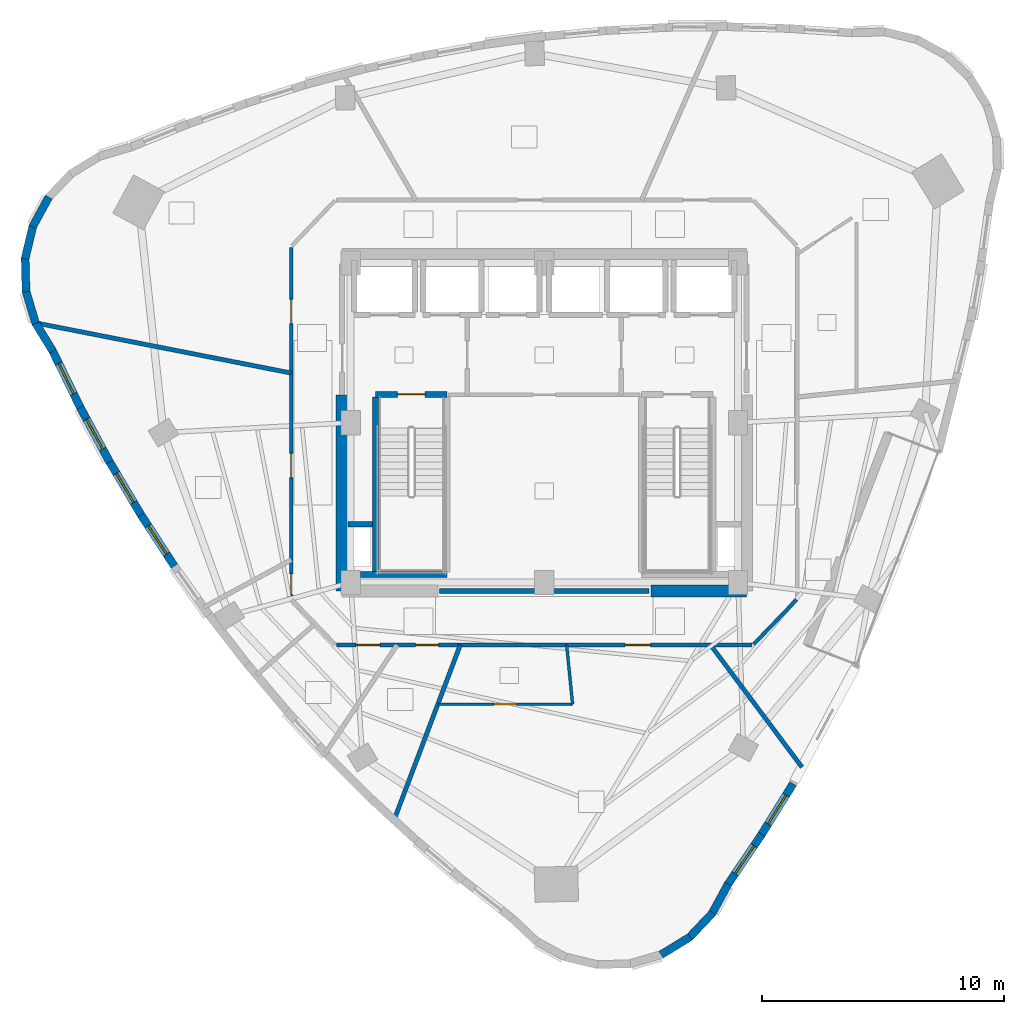
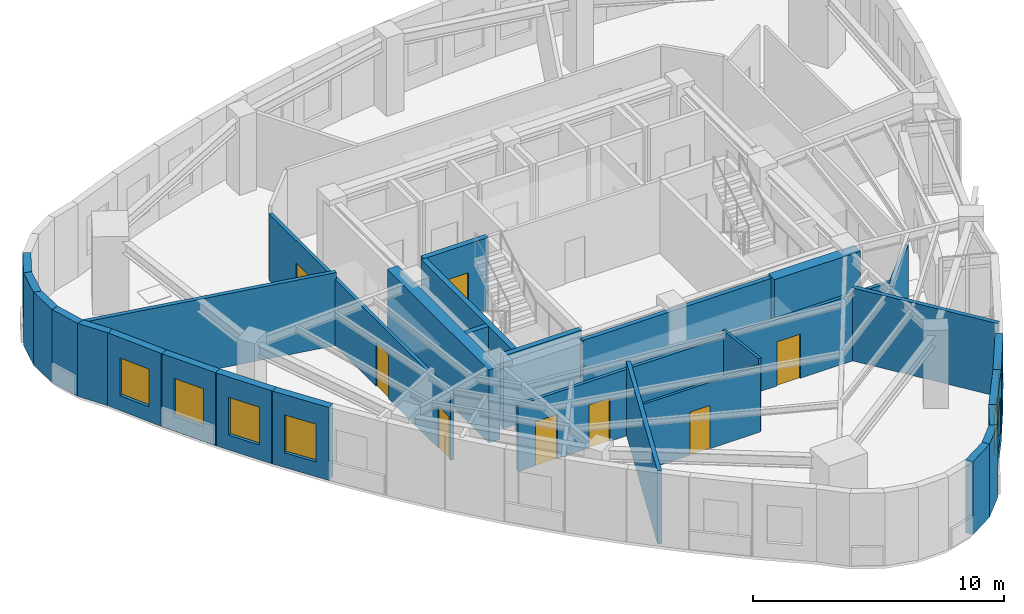
# One storey, part 4 of 10: 29 walls, 8 doors, 6 windows, 14 openings.
"""IFC4 building model written with IfcOpenShell, lengths in metres."""

from ifc_helpers import new_model, si_unit, direction, frame, frame_2d, origin, place, context, subcontext, project, spatial, rectangle, extrude, material, layer, layer_set, type_object, element, fill, save


model = new_model("IFC4")

# Units and contexts
model_context = context("Model", 3, precision=1e-05, world=origin(), true_north=direction((0.0, 1.0)))
body_context = subcontext(model_context, "Body", "Model", "MODEL_VIEW")
ifc_project = project(units=[si_unit("LENGTHUNIT", "METRE"), si_unit("AREAUNIT", "SQUARE_METRE"), si_unit("VOLUMEUNIT", "CUBIC_METRE"), si_unit("PLANEANGLEUNIT", "RADIAN"), si_unit("MASSUNIT", "GRAM", prefix="KILO")], contexts=[model_context])

# Site, building, storey
site_placement = place(None, origin())
site = spatial("IfcSite", under=ifc_project, at=site_placement, CompositionType="ELEMENT")
building_placement = place(site_placement, origin())
building = spatial("IfcBuilding", under=site, at=building_placement, Name="Ndelora Gate Hotel", CompositionType="ELEMENT")
storey_placement = place(building_placement, frame((0.0, 0.0, 247.35009765625)))
storey = spatial("IfcBuildingStorey", under=building, at=storey_placement, Name="L62", CompositionType="ELEMENT", Elevation=247.35009765625)

# Walls
ifc_material_1 = material(Name="Acoustic Double-Stud Gypsum Assembly", Category="gypsum")
ifc_layer_1 = layer(ifc_material_1, 0.179931640625)
ifc_layer_set_1 = layer_set([ifc_layer_1], Name="Acoustic Double-Stud Gypsum Assembly")
wall_type_1 = type_object("IfcWallType", Name="WL-ACOUST-180", PredefinedType="PARTITIONING", material=ifc_layer_set_1)
wall_1_placement = place(storey_placement, frame((-3.470458984375, -9.179931640625, 0.0), z_axis=(0.0, 0.0, 1.0), x_axis=(-0.353618010817, -0.935389919994, 0.0)))
element("IfcWall", 1, at=wall_1_placement, inside=storey, type_object=wall_type_1, Name="L62 Interior Wall IW-3", PredefinedType="PARTITIONING", context=body_context, shape_type="SweptSolid", body=[
    extrude(rectangle(XDim=7.72900390625, YDim=0.179931640625, at=frame_2d((3.864501953125, 0.0))), origin(), (0.0, 0.0, 1.0), 3.5498046875),
])
wall_2_placement = place(storey_placement, frame((6.866943359375, -9.179931640625, 0.0), z_axis=(0.0, 0.0, 1.0), x_axis=(0.598983265995, -0.800761541945, 0.0)))
element("IfcWall", 2, at=wall_2_placement, inside=storey, type_object=wall_type_1, Name="L62 Interior Wall IW-3", PredefinedType="PARTITIONING", context=body_context, shape_type="SweptSolid", body=[
    extrude(rectangle(XDim=6.3037109375, YDim=0.179931640625, at=frame_2d((3.15185546875, 0.0))), origin(), (0.0, 0.0, 1.0), 3.5498046875),
])
wall_3_placement = place(storey_placement, frame((-10.449951171875, 2.0498046875, 0.0), z_axis=(0.0, 0.0, 1.0), x_axis=(-0.981304682167, 0.192460699252, 0.0)))
element("IfcWall", 3, at=wall_3_placement, inside=storey, type_object=wall_type_1, Name="L62 Interior Wall IW-3", PredefinedType="PARTITIONING", context=body_context, shape_type="SweptSolid", body=[
    extrude(rectangle(XDim=10.767333984375, YDim=0.179931640625, at=frame_2d((5.3837890625, 0.0))), origin(), (0.0, 0.0, 1.0), 3.5498046875),
])
ifc_material_2 = material(Name="Clay Brick Masonry", Category="masonry")
ifc_layer_2 = layer(ifc_material_2, 0.330078125)
ifc_layer_set_2 = layer_set([ifc_layer_2], Name="Clay Brick Masonry")
wall_type_2 = type_object("IfcWallType", Name="WL-BRICK-330", PredefinedType="SOLIDWALL", material=ifc_layer_set_2)
wall_4_placement = place(storey_placement, frame((-21.13720703125, 8.08740234375, 0.0), z_axis=(0.0, 0.0, 1.0), x_axis=(0.477076549129, 0.878861744685, 0.0)))
element("IfcWall", 4, at=wall_4_placement, inside=storey, type_object=wall_type_2, Name="L62 Tower Brick Pier-and-Spandrel Wall TWR-4", PredefinedType="SOLIDWALL", context=body_context, shape_type="SweptSolid", body=[
    extrude(rectangle(XDim=1.4072265625, YDim=0.330078125, at=frame_2d((0.70361328125, 0.0))), origin(), (0.0, 0.0, 1.0), 3.5498046875),
])
for number, where, z_axis, x_axis, name in (
    (5, (-21.447998046875, 6.764892578125, 0.0), (0.0, 0.0, 1.0), (0.233464793771, 0.972365255482, 0.0), "L62 Tower Brick Pier-and-Spandrel Wall TWR-5"),
    (6, (-21.406005859375, 5.4072265625, 0.0), (0.0, 0.0, 1.0), (-0.02619264168, 0.999656913907, 0.0), "L62 Tower Brick Pier-and-Spandrel Wall TWR-6"),
):
    element("IfcWall", number, at=place(storey_placement, frame(where, z_axis=z_axis, x_axis=x_axis)), inside=storey, type_object=wall_type_2, Name=name, PredefinedType="SOLIDWALL", context=body_context, shape_type="SweptSolid", body=[
        extrude(rectangle(XDim=1.407470703125, YDim=0.330078125, at=frame_2d((0.70361328125, 0.0))), origin(), (0.0, 0.0, 1.0), 3.5498046875),
    ])
wall_5_placement = place(storey_placement, frame((-21.013916015625, 4.106689453125, 0.0), z_axis=(0.0, 0.0, 1.0), x_axis=(-0.284100140437, 0.958794613149, 0.0)))
element("IfcWall", 7, at=wall_5_placement, inside=storey, type_object=wall_type_2, Name="L62 Tower Brick Pier-and-Spandrel Wall TWR-7", PredefinedType="SOLIDWALL", context=body_context, shape_type="SweptSolid", body=[
    extrude(rectangle(XDim=1.40771484375, YDim=0.330078125, at=frame_2d((0.703857421875, 0.0))), origin(), (0.0, 0.0, 1.0), 3.5498046875),
])
wall_6_placement = place(storey_placement, frame((-20.298828125, 2.951904296875, 0.0), z_axis=(0.0, 0.0, 1.0), x_axis=(-0.522431898615, 0.852681013809, 0.0)))
element("IfcWall", 8, at=wall_6_placement, inside=storey, type_object=wall_type_2, Name="L62 Tower Brick Pier-and-Spandrel Wall TWR-8", PredefinedType="SOLIDWALL", context=body_context, shape_type="SweptSolid", body=[
    extrude(rectangle(XDim=1.407470703125, YDim=0.330078125, at=frame_2d((0.70361328125, 0.0))), origin(), (0.0, 0.0, 1.0), 3.5498046875),
])

# Wall, opening, window
wall_7_placement = place(storey_placement, frame((-19.1689453125, 0.630615234375, 0.0), z_axis=(0.0, 0.0, 1.0), x_axis=(-0.438509531978, 0.898726538144, 0.0)))
wall_7 = element("IfcWall", 9, at=wall_7_placement, inside=storey, type_object=wall_type_2, Name="L62 Tower Brick Pier-and-Spandrel Wall TWR-9", PredefinedType="SOLIDWALL", context=body_context, shape_type="SweptSolid", body=[
    extrude(rectangle(XDim=2.6318359375, YDim=0.330078125, at=frame_2d((1.31591796875, 0.0))), origin(), (0.0, 0.0, 1.0), 3.5498046875),
])
opening_1_placement = place(wall_7_placement, frame((0.615966796875, 0.0, 0.719970703125)))
opening_1 = element("IfcOpeningElement", 10, at=opening_1_placement, cuts=wall_7, Name="Opening W02", PredefinedType="OPENING", context=body_context, shape_type="SweptSolid", body=[
    extrude(rectangle(XDim=1.39990234375, YDim=1.840087890625, at=frame_2d((0.699951171875, 0.919921875))), frame((0.0, 0.175048828125, 0.0), z_axis=(0.0, -1.0, 0.0), x_axis=(1.0, 0.0, 0.0)), (0.0, 0.0, 1.0), 0.35009765625),
])
ifc_material_3 = material(Name="Insulated Low-E Double Glazing in Bronze Aluminium Frame", Category="aluminium")
window_type = type_object("IfcWindowType", Name="WN-DEEP-1400", PartitioningType="SINGLE_PANEL", PredefinedType="WINDOW", material=ifc_material_3)
window_1_placement = place(opening_1_placement, origin())
window_1 = element("IfcWindow", 11, at=window_1_placement, inside=storey, type_object=window_type, Name="L62 Deep-Set Brick-Pier Window W02", OverallHeight=1.840087890625, OverallWidth=1.39990234375, PartitioningType="SINGLE_PANEL", PredefinedType="WINDOW", context=body_context, shape_type="SweptSolid", body=[
    extrude(rectangle(XDim=1.39990234375, YDim=1.840087890625, at=frame_2d((0.699951171875, 0.919921875))), frame((0.0, 0.030029296875, 0.0), z_axis=(0.0, -1.0, 0.0), x_axis=(1.0, 0.0, 0.0)), (0.0, 0.0, 1.0), 0.06005859375),
])
fill(opening_1, window_1)

wall_8_placement = place(storey_placement, frame((-17.9541015625, -1.622802734375, 0.0), z_axis=(0.0, 0.0, 1.0), x_axis=(-0.474244845608, 0.880392995437, 0.0)))
wall_8 = element("IfcWall", 12, at=wall_8_placement, inside=storey, type_object=wall_type_2, Name="L62 Tower Brick Pier-and-Spandrel Wall TWR-10", PredefinedType="SOLIDWALL", context=body_context, shape_type="SweptSolid", body=[
    extrude(rectangle(XDim=2.610107421875, YDim=0.330078125, at=frame_2d((1.30517578125, 0.0))), origin(), (0.0, 0.0, 1.0), 3.5498046875),
])
opening_2_placement = place(wall_8_placement, frame((0.60498046875, 0.0, 0.719970703125)))
opening_2 = element("IfcOpeningElement", 13, at=opening_2_placement, cuts=wall_8, Name="Opening W02", PredefinedType="OPENING", context=body_context, shape_type="SweptSolid", body=[
    extrude(rectangle(XDim=1.39990234375, YDim=1.840087890625, at=frame_2d((0.699951171875, 0.919921875))), frame((0.0, 0.175048828125, 0.0), z_axis=(0.0, -1.0, 0.0), x_axis=(1.0, 0.0, 0.0)), (0.0, 0.0, 1.0), 0.35009765625),
])
window_2_placement = place(opening_2_placement, origin())
window_2 = element("IfcWindow", 14, at=window_2_placement, inside=storey, type_object=window_type, Name="L62 Deep-Set Brick-Pier Window W02", OverallHeight=1.840087890625, OverallWidth=1.39990234375, PartitioningType="SINGLE_PANEL", PredefinedType="WINDOW", context=body_context, shape_type="SweptSolid", body=[
    extrude(rectangle(XDim=1.39990234375, YDim=1.840087890625, at=frame_2d((0.699951171875, 0.919921875))), frame((0.0, 0.030029296875, 0.0), z_axis=(0.0, -1.0, 0.0), x_axis=(1.0, 0.0, 0.0)), (0.0, 0.0, 1.0), 0.06005859375),
])
fill(opening_2, window_2)

wall_9_placement = place(storey_placement, frame((-16.6572265625, -3.809814453125, 0.0), z_axis=(0.0, 0.0, 1.0), x_axis=(-0.509737856677, 0.860329772512, 0.0)))
wall_9 = element("IfcWall", 15, at=wall_9_placement, inside=storey, type_object=wall_type_2, Name="L62 Tower Brick Pier-and-Spandrel Wall TWR-11", PredefinedType="SOLIDWALL", context=body_context, shape_type="SweptSolid", body=[
    extrude(rectangle(XDim=2.592529296875, YDim=0.330078125, at=frame_2d((1.29638671875, 0.0))), origin(), (0.0, 0.0, 1.0), 3.5498046875),
])
opening_3_placement = place(wall_9_placement, frame((0.59619140625, 0.0, 0.719970703125)))
opening_3 = element("IfcOpeningElement", 16, at=opening_3_placement, cuts=wall_9, Name="Opening W02", PredefinedType="OPENING", context=body_context, shape_type="SweptSolid", body=[
    extrude(rectangle(XDim=1.39990234375, YDim=1.840087890625, at=frame_2d((0.699951171875, 0.919921875))), frame((0.0, 0.175048828125, 0.0), z_axis=(0.0, -1.0, 0.0), x_axis=(1.0, 0.0, 0.0)), (0.0, 0.0, 1.0), 0.35009765625),
])
window_3_placement = place(opening_3_placement, origin())
window_3 = element("IfcWindow", 17, at=window_3_placement, inside=storey, type_object=window_type, Name="L62 Deep-Set Brick-Pier Window W02", OverallHeight=1.840087890625, OverallWidth=1.39990234375, PartitioningType="SINGLE_PANEL", PredefinedType="WINDOW", context=body_context, shape_type="SweptSolid", body=[
    extrude(rectangle(XDim=1.39990234375, YDim=1.840087890625, at=frame_2d((0.699951171875, 0.919921875))), frame((0.0, 0.030029296875, 0.0), z_axis=(0.0, -1.0, 0.0), x_axis=(1.0, 0.0, 0.0)), (0.0, 0.0, 1.0), 0.06005859375),
])
fill(opening_3, window_3)

wall_10_placement = place(storey_placement, frame((-15.2783203125, -5.930419921875, 0.0), z_axis=(0.0, 0.0, 1.0), x_axis=(-0.544788727903, 0.838573337252, 0.0)))
wall_10 = element("IfcWall", 18, at=wall_10_placement, inside=storey, type_object=wall_type_2, Name="L62 Tower Brick Pier-and-Spandrel Wall TWR-12", PredefinedType="SOLIDWALL", context=body_context, shape_type="SweptSolid", body=[
    extrude(rectangle(XDim=2.57958984375, YDim=0.330078125, at=frame_2d((1.289794921875, 0.0))), origin(), (0.0, 0.0, 1.0), 3.5498046875),
])
opening_4_placement = place(wall_10_placement, frame((0.589599609375, 0.0, 0.719970703125)))
opening_4 = element("IfcOpeningElement", 19, at=opening_4_placement, cuts=wall_10, Name="Opening W02", PredefinedType="OPENING", context=body_context, shape_type="SweptSolid", body=[
    extrude(rectangle(XDim=1.39990234375, YDim=1.840087890625, at=frame_2d((0.699951171875, 0.919921875))), frame((0.0, 0.175048828125, 0.0), z_axis=(0.0, -1.0, 0.0), x_axis=(1.0, 0.0, 0.0)), (0.0, 0.0, 1.0), 0.35009765625),
])
window_4_placement = place(opening_4_placement, origin())
window_4 = element("IfcWindow", 20, at=window_4_placement, inside=storey, type_object=window_type, Name="L62 Deep-Set Brick-Pier Window W02", OverallHeight=1.840087890625, OverallWidth=1.39990234375, PartitioningType="SINGLE_PANEL", PredefinedType="WINDOW", context=body_context, shape_type="SweptSolid", body=[
    extrude(rectangle(XDim=1.39990234375, YDim=1.840087890625, at=frame_2d((0.699951171875, 0.919921875))), frame((0.0, 0.030029296875, 0.0), z_axis=(0.0, -1.0, 0.0), x_axis=(1.0, 0.0, 0.0)), (0.0, 0.0, 1.0), 0.06005859375),
])
fill(opening_4, window_4)

# Walls
wall_11_placement = place(storey_placement, frame((6.020263671875, -21.24169921875, 0.0), z_axis=(0.0, 0.0, 1.0), x_axis=(-0.852603745029, -0.522557991004, 0.0)))
element("IfcWall", 21, at=wall_11_placement, inside=storey, type_object=wall_type_2, Name="L62 Tower Brick Pier-and-Spandrel Wall TWR-26", PredefinedType="SOLIDWALL", context=body_context, shape_type="SweptSolid", body=[
    extrude(rectangle(XDim=1.40771484375, YDim=0.330078125, at=frame_2d((0.703857421875, 0.0))), origin(), (0.0, 0.0, 1.0), 3.5498046875),
])
wall_12_placement = place(storey_placement, frame((6.950439453125, -20.252197265625, 0.0), z_axis=(0.0, 0.0, 1.0), x_axis=(-0.688389184298, -0.725341527104, 0.0)))
element("IfcWall", 22, at=wall_12_placement, inside=storey, type_object=wall_type_2, Name="L62 Tower Brick Pier-and-Spandrel Wall TWR-27", PredefinedType="SOLIDWALL", context=body_context, shape_type="SweptSolid", body=[
    extrude(rectangle(XDim=1.4072265625, YDim=0.330078125, at=frame_2d((0.70361328125, 0.0))), origin(), (0.0, 0.0, 1.0), 3.5498046875),
])
wall_13_placement = place(storey_placement, frame((7.593017578125, -19.05517578125, 0.0), z_axis=(0.0, 0.0, 1.0), x_axis=(-0.477137792558, -0.878828496871, 0.0)))
element("IfcWall", 23, at=wall_13_placement, inside=storey, type_object=wall_type_2, Name="L62 Tower Brick Pier-and-Spandrel Wall TWR-28", PredefinedType="SOLIDWALL", context=body_context, shape_type="SweptSolid", body=[
    extrude(rectangle(XDim=1.40771484375, YDim=0.330078125, at=frame_2d((0.703857421875, 0.0))), origin(), (0.0, 0.0, 1.0), 3.5498046875),
])

# Wall, opening, window
wall_14_placement = place(storey_placement, frame((8.982666015625, -17.00244140625, 0.0), z_axis=(0.0, 0.0, 1.0), x_axis=(-0.559835914703, -0.828603492998, 0.0)))
wall_14 = element("IfcWall", 24, at=wall_14_placement, inside=storey, type_object=wall_type_2, Name="L62 Tower Brick Pier-and-Spandrel Wall TWR-29", PredefinedType="SOLIDWALL", context=body_context, shape_type="SweptSolid", body=[
    extrude(rectangle(XDim=2.52880859375, YDim=0.330078125, at=frame_2d((1.264404296875, 0.0))), origin(), (0.0, 0.0, 1.0), 3.5498046875),
])
opening_5_placement = place(wall_14_placement, frame((0.564453125, 0.0, 0.719970703125)))
opening_5 = element("IfcOpeningElement", 25, at=opening_5_placement, cuts=wall_14, Name="Opening W02", PredefinedType="OPENING", context=body_context, shape_type="SweptSolid", body=[
    extrude(rectangle(XDim=1.39990234375, YDim=1.840087890625, at=frame_2d((0.699951171875, 0.919921875))), frame((0.0, 0.175048828125, 0.0), z_axis=(0.0, -1.0, 0.0), x_axis=(1.0, 0.0, 0.0)), (0.0, 0.0, 1.0), 0.35009765625),
])
window_5_placement = place(opening_5_placement, origin())
window_5 = element("IfcWindow", 26, at=window_5_placement, inside=storey, type_object=window_type, Name="L62 Deep-Set Brick-Pier Window W02", OverallHeight=1.840087890625, OverallWidth=1.39990234375, PartitioningType="SINGLE_PANEL", PredefinedType="WINDOW", context=body_context, shape_type="SweptSolid", body=[
    extrude(rectangle(XDim=1.39990234375, YDim=1.840087890625, at=frame_2d((0.699951171875, 0.919921875))), frame((0.0, 0.030029296875, 0.0), z_axis=(0.0, -1.0, 0.0), x_axis=(1.0, 0.0, 0.0)), (0.0, 0.0, 1.0), 0.06005859375),
])
fill(opening_5, window_5)

wall_15_placement = place(storey_placement, frame((10.27880859375, -14.9130859375, 0.0), z_axis=(0.0, 0.0, 1.0), x_axis=(-0.527573608848, -0.84950932146, 0.0)))
wall_15 = element("IfcWall", 27, at=wall_15_placement, inside=storey, type_object=wall_type_2, Name="L62 Tower Brick Pier-and-Spandrel Wall TWR-30", PredefinedType="SOLIDWALL", context=body_context, shape_type="SweptSolid", body=[
    extrude(rectangle(XDim=2.508544921875, YDim=0.330078125, at=frame_2d((1.25439453125, 0.0))), origin(), (0.0, 0.0, 1.0), 3.5498046875),
])
opening_6_placement = place(wall_15_placement, frame((0.554443359375, 0.0, 0.719970703125)))
opening_6 = element("IfcOpeningElement", 28, at=opening_6_placement, cuts=wall_15, Name="Opening W02", PredefinedType="OPENING", context=body_context, shape_type="SweptSolid", body=[
    extrude(rectangle(XDim=1.39990234375, YDim=1.840087890625, at=frame_2d((0.699951171875, 0.919921875))), frame((0.0, 0.175048828125, 0.0), z_axis=(0.0, -1.0, 0.0), x_axis=(1.0, 0.0, 0.0)), (0.0, 0.0, 1.0), 0.35009765625),
])
window_6_placement = place(opening_6_placement, origin())
window_6 = element("IfcWindow", 29, at=window_6_placement, inside=storey, type_object=window_type, Name="L62 Deep-Set Brick-Pier Window W02", OverallHeight=1.840087890625, OverallWidth=1.39990234375, PartitioningType="SINGLE_PANEL", PredefinedType="WINDOW", context=body_context, shape_type="SweptSolid", body=[
    extrude(rectangle(XDim=1.39990234375, YDim=1.840087890625, at=frame_2d((0.699951171875, 0.919921875))), frame((0.0, 0.030029296875, 0.0), z_axis=(0.0, -1.0, 0.0), x_axis=(1.0, 0.0, 0.0)), (0.0, 0.0, 1.0), 0.06005859375),
])
fill(opening_6, window_6)

# Walls
ifc_material_4 = material(Name="Concrete C50/60", Category="concrete")
ifc_layer_3 = layer(ifc_material_4, 0.5)
ifc_layer_set_3 = layer_set([ifc_layer_3], Name="Concrete C50/60")
wall_type_3 = type_object("IfcWallType", Name="WL-CORE-500", PredefinedType="SHEAR", material=ifc_layer_set_3)
wall_16_placement = place(storey_placement, frame((4.39990234375, -6.949951171875, 0.0), z_axis=(0.0, 0.0, 1.0), x_axis=(1.0, 0.0, 0.0)))
element("IfcWall", 30, at=wall_16_placement, inside=storey, type_object=wall_type_3, Name="L62 Core Shear Wall S-E", PredefinedType="SHEAR", context=body_context, shape_type="SweptSolid", body=[
    extrude(rectangle(XDim=3.9501953125, YDim=0.5, at=frame_2d((1.97509765625, 0.0))), origin(), (0.0, 0.0, 1.0), 3.5498046875),
])
wall_17_placement = place(storey_placement, frame((-8.35009765625, -6.949951171875, 0.0), z_axis=(0.0, 0.0, 1.0), x_axis=(0.0, 1.0, 0.0)))
element("IfcWall", 31, at=wall_17_placement, inside=storey, type_object=wall_type_3, Name="L62 Core Shear Wall W", PredefinedType="SHEAR", context=body_context, shape_type="SweptSolid", body=[
    extrude(rectangle(XDim=8.099853515625, YDim=0.5, at=frame_2d((4.0498046875, 0.0))), origin(), (0.0, 0.0, 1.0), 3.5498046875),
])
ifc_material_5 = material(Name="Concrete C40/50", Category="concrete")
ifc_layer_4 = layer(ifc_material_5, 0.199951171875)
ifc_layer_set_4 = layer_set([ifc_layer_4], Name="Concrete C40/50")
wall_type_4 = type_object("IfcWallType", Name="WL-FIRE-200", PredefinedType="PARTITIONING", material=ifc_layer_set_4)
wall_18_placement = place(storey_placement, frame((-4.320068359375, -6.949951171875, 0.0), z_axis=(0.0, 0.0, 1.0), x_axis=(1.0, 0.0, 0.0)))
element("IfcWall", 32, at=wall_18_placement, inside=storey, type_object=wall_type_4, Name="L62 Interior Wall IW-2", PredefinedType="PARTITIONING", context=body_context, shape_type="SweptSolid", body=[
    extrude(rectangle(XDim=8.64013671875, YDim=0.199951171875, at=frame_2d((4.320068359375, 0.0))), origin(), (0.0, 0.0, 1.0), 3.5498046875),
])

# Wall, openings, doors
ifc_material_6 = material(Name="Fire-Rated Gypsum Stud Partition", Category="gypsum")
ifc_layer_5 = layer(ifc_material_6, 0.14990234375)
ifc_layer_set_5 = layer_set([ifc_layer_5], Name="Fire-Rated Gypsum Stud Partition")
wall_type_5 = type_object("IfcWallType", Name="WL-PART-150", PredefinedType="PARTITIONING", material=ifc_layer_set_5)
wall_19_placement = place(storey_placement, frame((8.580078125, -9.179931640625, 0.0), z_axis=(0.0, 0.0, 1.0), x_axis=(-1.0, 0.0, 0.0)))
wall_19 = element("IfcWall", 33, at=wall_19_placement, inside=storey, type_object=wall_type_5, Name="L62 Interior Wall IW-5", PredefinedType="PARTITIONING", context=body_context, shape_type="SweptSolid", body=[
    extrude(rectangle(XDim=17.16015625, YDim=0.14990234375, at=frame_2d((8.580078125, 0.0))), origin(), (0.0, 0.0, 1.0), 3.22998046875),
])
opening_7_placement = place(wall_19_placement, frame((15.36083984375, 0.0, 0.0)))
opening_7 = element("IfcOpeningElement", 34, at=opening_7_placement, cuts=wall_19, Name="Opening D01", PredefinedType="OPENING", context=body_context, shape_type="SweptSolid", body=[
    extrude(rectangle(XDim=1.0, YDim=2.14990234375, at=frame_2d((0.5, 1.074951171875))), frame((0.0, 0.0849609375, 0.0), z_axis=(0.0, -1.0, 0.0), x_axis=(1.0, 0.0, 0.0)), (0.0, 0.0, 1.0), 0.169921875),
])
opening_8_placement = place(wall_19_placement, frame((12.947021484375, 0.0, 0.0)))
opening_8 = element("IfcOpeningElement", 35, at=opening_8_placement, cuts=wall_19, Name="Opening D05", PredefinedType="OPENING", context=body_context, shape_type="SweptSolid", body=[
    extrude(rectangle(XDim=0.949951171875, YDim=2.10009765625, at=frame_2d((0.47509765625, 1.050048828125))), frame((0.0, 0.0849609375, 0.0), z_axis=(0.0, -1.0, 0.0), x_axis=(1.0, 0.0, 0.0)), (0.0, 0.0, 1.0), 0.169921875),
])
opening_9_placement = place(wall_19_placement, frame((4.184326171875, 0.0, 0.0)))
opening_9 = element("IfcOpeningElement", 36, at=opening_9_placement, cuts=wall_19, Name="Opening D07", PredefinedType="OPENING", context=body_context, shape_type="SweptSolid", body=[
    extrude(rectangle(XDim=1.06005859375, YDim=2.14990234375, at=frame_2d((0.530029296875, 1.074951171875))), frame((0.0, 0.0849609375, 0.0), z_axis=(0.0, -1.0, 0.0), x_axis=(1.0, 0.0, 0.0)), (0.0, 0.0, 1.0), 0.169921875),
])
ifc_material_7 = material(Name="Accessible Restroom Wide-Clearance Door", Category="wood")
door_type_1 = type_object("IfcDoorType", Name="DR-ACC-950", OperationType="SINGLE_SWING_LEFT", PredefinedType="DOOR", material=ifc_material_7)
door_1_placement = place(opening_8_placement, origin())
door_1 = element("IfcDoor", 37, at=door_1_placement, inside=storey, type_object=door_type_1, Name="L62 Accessible WC Entrance Door", OperationType="SINGLE_SWING_RIGHT", OverallHeight=2.10009765625, OverallWidth=0.949951171875, PredefinedType="DOOR", context=body_context, shape_type="SweptSolid", body=[
    extrude(rectangle(XDim=0.949951171875, YDim=2.10009765625, at=frame_2d((0.47509765625, 1.050048828125))), frame((0.0, 0.02490234375, 0.0), z_axis=(0.0, -1.0, 0.0), x_axis=(1.0, 0.0, 0.0)), (0.0, 0.0, 1.0), 0.050048828125),
])
fill(opening_8, door_1)
ifc_material_8 = material(Name="Acoustic Hardwood Guest Entrance Door", Category="wood")
door_type_2 = type_object("IfcDoorType", Name="DR-COR-1000", OperationType="SINGLE_SWING_LEFT", PredefinedType="DOOR", material=ifc_material_8)
door_2_placement = place(opening_7_placement, origin())
door_2 = element("IfcDoor", 38, at=door_2_placement, inside=storey, type_object=door_type_2, Name="L62 Housekeeping and Linen Room Entrance Door", OperationType="SINGLE_SWING_LEFT", OverallHeight=2.14990234375, OverallWidth=1.0, PredefinedType="DOOR", context=body_context, shape_type="SweptSolid", body=[
    extrude(rectangle(XDim=1.0, YDim=2.14990234375, at=frame_2d((0.5, 1.074951171875))), frame((0.0, 0.02490234375, 0.0), z_axis=(0.0, -1.0, 0.0), x_axis=(1.0, 0.0, 0.0)), (0.0, 0.0, 1.0), 0.050048828125),
])
fill(opening_7, door_2)
ifc_material_9 = material(Name="Diplomatic Suite Acoustic Entrance Door", Category="wood")
door_type_3 = type_object("IfcDoorType", Name="DR-SUITE-1060", OperationType="SINGLE_SWING_LEFT", PredefinedType="DOOR", material=ifc_material_9)
door_3_placement = place(opening_9_placement, origin())
door_3 = element("IfcDoor", 39, at=door_3_placement, inside=storey, type_object=door_type_3, Name="L62 Grand Highland Presidential Suite 6501 Entrance Door", OperationType="SINGLE_SWING_RIGHT", OverallHeight=2.14990234375, OverallWidth=1.06005859375, PredefinedType="DOOR", context=body_context, shape_type="SweptSolid", body=[
    extrude(rectangle(XDim=1.06005859375, YDim=2.14990234375, at=frame_2d((0.530029296875, 1.074951171875))), frame((0.0, 0.02490234375, 0.0), z_axis=(0.0, -1.0, 0.0), x_axis=(1.0, 0.0, 0.0)), (0.0, 0.0, 1.0), 0.050048828125),
])
fill(opening_9, door_3)

# Wall
wall_20_placement = place(storey_placement, frame((10.42236328125, -7.308837890625, 0.0), z_axis=(0.0, 0.0, 1.0), x_axis=(-0.693764562202, -0.720201869085, 0.0)))
element("IfcWall", 40, at=wall_20_placement, inside=storey, type_object=wall_type_5, Name="L62 Interior Wall IW-5", PredefinedType="PARTITIONING", context=body_context, shape_type="SweptSolid", body=[
    extrude(rectangle(XDim=2.55810546875, YDim=0.14990234375, at=frame_2d((1.279052734375, 0.0))), origin(), (0.0, 0.0, 1.0), 3.22998046875),
])

# Wall, openings, doors
wall_21_placement = place(storey_placement, frame((-10.449951171875, -7.239990234375, 0.0), z_axis=(0.0, 0.0, 1.0), x_axis=(0.0, 1.0, 0.0)))
wall_21 = element("IfcWall", 41, at=wall_21_placement, inside=storey, type_object=wall_type_5, Name="L62 Interior Wall IW-5", PredefinedType="PARTITIONING", context=body_context, shape_type="SweptSolid", body=[
    extrude(rectangle(XDim=14.47998046875, YDim=0.14990234375, at=frame_2d((7.239990234375, 0.0))), origin(), (0.0, 0.0, 1.0), 3.22998046875),
])
opening_10_placement = place(wall_21_placement, frame((0.139892578125, 0.0, 0.0)))
opening_10 = element("IfcOpeningElement", 42, at=opening_10_placement, cuts=wall_21, Name="Opening D09", PredefinedType="OPENING", context=body_context, shape_type="SweptSolid", body=[
    extrude(rectangle(XDim=0.860107421875, YDim=2.050048828125, at=frame_2d((0.43017578125, 1.02490234375))), frame((0.0, 0.0849609375, 0.0), z_axis=(0.0, -1.0, 0.0), x_axis=(1.0, 0.0, 0.0)), (0.0, 0.0, 1.0), 0.169921875),
])
opening_11_placement = place(wall_21_placement, frame((4.972900390625, 0.0, 0.0)))
opening_11 = element("IfcOpeningElement", 43, at=opening_11_placement, cuts=wall_21, Name="Opening D01", PredefinedType="OPENING", context=body_context, shape_type="SweptSolid", body=[
    extrude(rectangle(XDim=1.0, YDim=2.14990234375, at=frame_2d((0.5, 1.074951171875))), frame((0.0, 0.0849609375, 0.0), z_axis=(0.0, -1.0, 0.0), x_axis=(1.0, 0.0, 0.0)), (0.0, 0.0, 1.0), 0.169921875),
])
opening_12_placement = place(wall_21_placement, frame((11.334716796875, 0.0, 0.0)))
opening_12 = element("IfcOpeningElement", 44, at=opening_12_placement, cuts=wall_21, Name="Opening D01", PredefinedType="OPENING", context=body_context, shape_type="SweptSolid", body=[
    extrude(rectangle(XDim=1.0, YDim=2.14990234375, at=frame_2d((0.5, 1.074951171875))), frame((0.0, 0.0849609375, 0.0), z_axis=(0.0, -1.0, 0.0), x_axis=(1.0, 0.0, 0.0)), (0.0, 0.0, 1.0), 0.169921875),
])
door_4_placement = place(opening_11_placement, origin())
door_4 = element("IfcDoor", 45, at=door_4_placement, inside=storey, type_object=door_type_2, Name="L62 Private Chef Service Kitchen Entrance Door", OperationType="SINGLE_SWING_RIGHT", OverallHeight=2.14990234375, OverallWidth=1.0, PredefinedType="DOOR", context=body_context, shape_type="SweptSolid", body=[
    extrude(rectangle(XDim=1.0, YDim=2.14990234375, at=frame_2d((0.5, 1.074951171875))), frame((0.0, 0.02490234375, 0.0), z_axis=(0.0, -1.0, 0.0), x_axis=(1.0, 0.0, 0.0)), (0.0, 0.0, 1.0), 0.050048828125),
])
fill(opening_11, door_4)
door_5_placement = place(opening_12_placement, origin())
door_5 = element("IfcDoor", 46, at=door_5_placement, inside=storey, type_object=door_type_2, Name="L62 State Banquet Dining Room Entrance Door", OperationType="SINGLE_SWING_RIGHT", OverallHeight=2.14990234375, OverallWidth=1.0, PredefinedType="DOOR", context=body_context, shape_type="SweptSolid", body=[
    extrude(rectangle(XDim=1.0, YDim=2.14990234375, at=frame_2d((0.5, 1.074951171875))), frame((0.0, 0.02490234375, 0.0), z_axis=(0.0, -1.0, 0.0), x_axis=(1.0, 0.0, 0.0)), (0.0, 0.0, 1.0), 0.050048828125),
])
fill(opening_12, door_5)
ifc_material_10 = material(Name="Painted Steel Compact Service Door", Category="steel")
door_type_4 = type_object("IfcDoorType", Name="DR-SER-860", OperationType="SINGLE_SWING_LEFT", PredefinedType="DOOR", material=ifc_material_10)
door_6_placement = place(opening_10_placement, origin())
door_6 = element("IfcDoor", 47, at=door_6_placement, inside=storey, type_object=door_type_4, Name="L62 Female Public Restroom Entrance Door", OperationType="SINGLE_SWING_RIGHT", OverallHeight=2.050048828125, OverallWidth=0.860107421875, PredefinedType="DOOR", context=body_context, shape_type="SweptSolid", body=[
    extrude(rectangle(XDim=0.860107421875, YDim=2.050048828125, at=frame_2d((0.43017578125, 1.02490234375))), frame((0.0, 0.02490234375, 0.0), z_axis=(0.0, -1.0, 0.0), x_axis=(1.0, 0.0, 0.0)), (0.0, 0.0, 1.0), 0.050048828125),
])
fill(opening_10, door_6)

# Walls
ifc_layer_6 = layer(ifc_material_5, 0.219970703125)
ifc_layer_set_6 = layer_set([ifc_layer_6], Name="Concrete C40/50")
wall_type_6 = type_object("IfcWallType", Name="WL-SHAFT-220", PredefinedType="PARTITIONING", material=ifc_layer_set_6)
wall_22_placement = place(storey_placement, frame((-8.10009765625, -4.199951171875, 0.0), z_axis=(0.0, 0.0, 1.0), x_axis=(1.0, 0.0, 0.0)))
element("IfcWall", 48, at=wall_22_placement, inside=storey, type_object=wall_type_6, Name="L62 Interior Wall IW-1", PredefinedType="PARTITIONING", context=body_context, shape_type="SweptSolid", body=[
    extrude(rectangle(XDim=1.010009765625, YDim=0.219970703125, at=frame_2d((0.5048828125, 0.0))), origin(), (0.0, 0.0, 1.0), 3.5498046875),
])
ifc_layer_7 = layer(ifc_material_4, 0.239990234375)
ifc_layer_set_7 = layer_set([ifc_layer_7], Name="Concrete C50/60")
wall_type_7 = type_object("IfcWallType", Name="WL-STAIR-240", PredefinedType="SHEAR", material=ifc_layer_set_7)
wall_23_placement = place(storey_placement, frame((-6.969970703125, -6.159912109375, 0.0), z_axis=(0.0, 0.0, 1.0), x_axis=(0.0, 1.0, 0.0)))
element("IfcWall", 49, at=wall_23_placement, inside=storey, type_object=wall_type_7, Name="L62 Stair Core Shear Wall SW-ST", PredefinedType="SHEAR", context=body_context, shape_type="SweptSolid", body=[
    extrude(rectangle(XDim=7.219970703125, YDim=0.239990234375, at=frame_2d((3.60986328125, 0.0))), origin(), (0.0, 0.0, 1.0), 3.5498046875),
])
wall_24_placement = place(storey_placement, frame((-7.60009765625, -6.27001953125, 0.0), z_axis=(0.0, 0.0, 1.0), x_axis=(1.0, 0.0, 0.0)))
element("IfcWall", 50, at=wall_24_placement, inside=storey, type_object=wall_type_7, Name="L62 Stair Core Shear Wall SW-ST", PredefinedType="SHEAR", context=body_context, shape_type="SweptSolid", body=[
    extrude(rectangle(XDim=3.590087890625, YDim=0.239990234375, at=frame_2d((1.794921875, 0.0))), origin(), (0.0, 0.0, 1.0), 3.5498046875),
])

# Wall, opening, door
wall_25_placement = place(storey_placement, frame((-6.969970703125, 1.169921875, 0.0), z_axis=(0.0, 0.0, 1.0), x_axis=(1.0, 0.0, 0.0)))
wall_25 = element("IfcWall", 51, at=wall_25_placement, inside=storey, type_object=wall_type_7, Name="L62 Stair Core Shear Wall SW-ST", PredefinedType="SHEAR", context=body_context, shape_type="SweptSolid", body=[
    extrude(rectangle(XDim=2.9599609375, YDim=0.239990234375, at=frame_2d((1.47998046875, 0.0))), origin(), (0.0, 0.0, 1.0), 3.5498046875),
])
opening_13_placement = place(wall_25_placement, frame((0.89990234375, 0.0, 0.0)))
opening_13 = element("IfcOpeningElement", 52, at=opening_13_placement, cuts=wall_25, Name="Opening FD1", PredefinedType="OPENING", context=body_context, shape_type="SweptSolid", body=[
    extrude(rectangle(XDim=1.14990234375, YDim=2.14990234375, at=frame_2d((0.574951171875, 1.074951171875))), frame((0.0, 0.1298828125, 0.0), z_axis=(0.0, -1.0, 0.0), x_axis=(1.0, 0.0, 0.0)), (0.0, 0.0, 1.0), 0.260009765625),
])
ifc_material_11 = material(Name="Fire-Rated Timber-Veneer Steel Core", Category="steel")
door_type_5 = type_object("IfcDoorType", Name="DR-FD60", OperationType="SINGLE_SWING_LEFT", PredefinedType="DOOR", material=ifc_material_11)
door_7_placement = place(opening_13_placement, origin())
door_7 = element("IfcDoor", 53, at=door_7_placement, inside=storey, type_object=door_type_5, Name="L62 Exit Stair ST4 Door", OperationType="SINGLE_SWING_LEFT", OverallHeight=2.14990234375, OverallWidth=1.14990234375, PredefinedType="DOOR", context=body_context, shape_type="SweptSolid", body=[
    extrude(rectangle(XDim=1.14990234375, YDim=2.14990234375, at=frame_2d((0.574951171875, 1.074951171875))), frame((0.0, 0.02490234375, 0.0), z_axis=(0.0, -1.0, 0.0), x_axis=(1.0, 0.0, 0.0)), (0.0, 0.0, 1.0), 0.050048828125),
])
fill(opening_13, door_7)

# Wall
ifc_material_12 = material(Name="Moisture-Resistant Bathroom Tile Partition", Category="gypsum")
ifc_layer_8 = layer(ifc_material_12, 0.1201171875)
ifc_layer_set_8 = layer_set([ifc_layer_8], Name="Moisture-Resistant Bathroom Tile Partition")
wall_type_8 = type_object("IfcWallType", Name="WL-WET-120", PredefinedType="PARTITIONING", material=ifc_layer_set_8)
wall_26_placement = place(storey_placement, frame((0.923583984375, -9.179931640625, 0.0), z_axis=(0.0, 0.0, 1.0), x_axis=(0.100043637061, -0.99498305045, 0.0)))
element("IfcWall", 54, at=wall_26_placement, inside=storey, type_object=wall_type_8, Name="L62 Interior Wall IW-7", PredefinedType="PARTITIONING", context=body_context, shape_type="SweptSolid", body=[
    extrude(rectangle(XDim=2.46240234375, YDim=0.1201171875, at=frame_2d((1.231201171875, 0.0))), origin(), (0.0, 0.0, 1.0), 3.5498046875),
])

# Wall, opening, door
wall_27_placement = place(storey_placement, frame((1.169921875, -11.6298828125, 0.0), z_axis=(0.0, 0.0, 1.0), x_axis=(-1.0, 0.0, 0.0)))
wall_27 = element("IfcWall", 55, at=wall_27_placement, inside=storey, type_object=wall_type_8, Name="L62 Interior Wall IW-7", PredefinedType="PARTITIONING", context=body_context, shape_type="SweptSolid", body=[
    extrude(rectangle(XDim=5.56640625, YDim=0.1201171875, at=frame_2d((2.783203125, 0.0))), origin(), (0.0, 0.0, 1.0), 3.22998046875),
])
opening_14_placement = place(wall_27_placement, frame((2.3232421875, 0.0, 0.0)))
opening_14 = element("IfcOpeningElement", 56, at=opening_14_placement, cuts=wall_27, Name="Opening D03", PredefinedType="OPENING", context=body_context, shape_type="SweptSolid", body=[
    extrude(rectangle(XDim=0.919921875, YDim=2.10009765625, at=frame_2d((0.4599609375, 1.050048828125))), frame((0.0, 0.070068359375, 0.0), z_axis=(0.0, -1.0, 0.0), x_axis=(1.0, 0.0, 0.0)), (0.0, 0.0, 1.0), 0.14013671875),
])
ifc_material_13 = material(Name="Moisture-Resistant Hardwood En-Suite Door", Category="wood")
door_type_6 = type_object("IfcDoorType", Name="DR-BATH-920", OperationType="SINGLE_SWING_LEFT", PredefinedType="DOOR", material=ifc_material_13)
door_8_placement = place(opening_14_placement, origin())
door_8 = element("IfcDoor", 57, at=door_8_placement, inside=storey, type_object=door_type_6, Name="L62 En-suite Bathroom 6501 Door", OperationType="SINGLE_SWING_RIGHT", OverallHeight=2.10009765625, OverallWidth=0.919921875, PredefinedType="DOOR", context=body_context, shape_type="SweptSolid", body=[
    extrude(rectangle(XDim=0.919921875, YDim=2.10009765625, at=frame_2d((0.4599609375, 1.050048828125))), frame((0.0, 0.02490234375, 0.0), z_axis=(0.0, -1.0, 0.0), x_axis=(1.0, 0.0, 0.0)), (0.0, 0.0, 1.0), 0.050048828125),
])
fill(opening_14, door_8)

save(model, "model.ifc")
